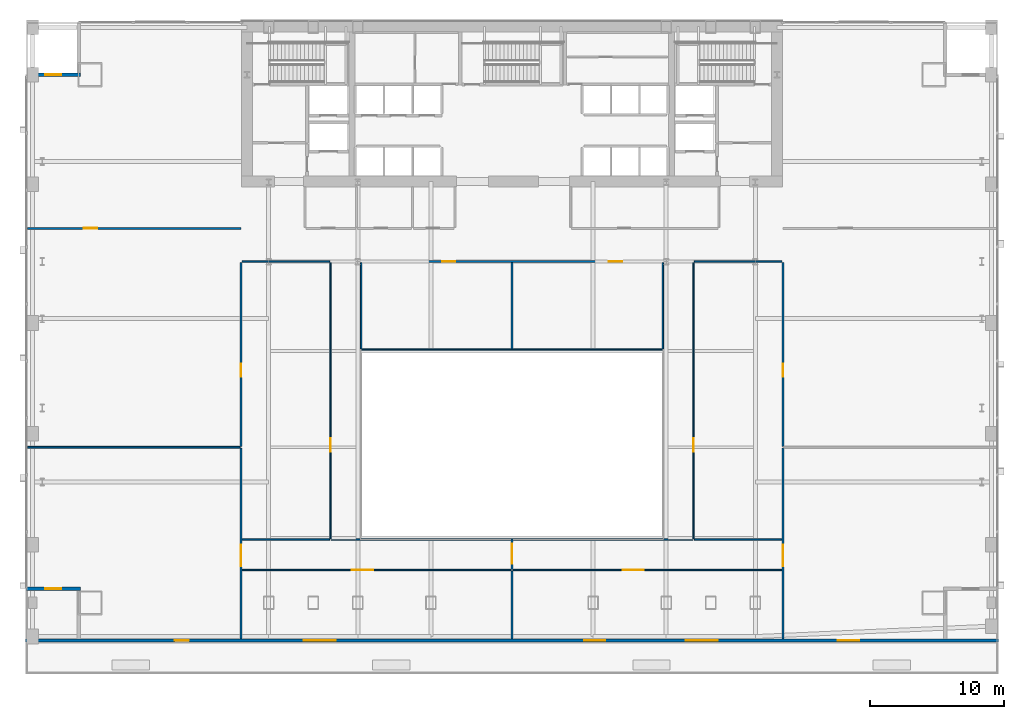
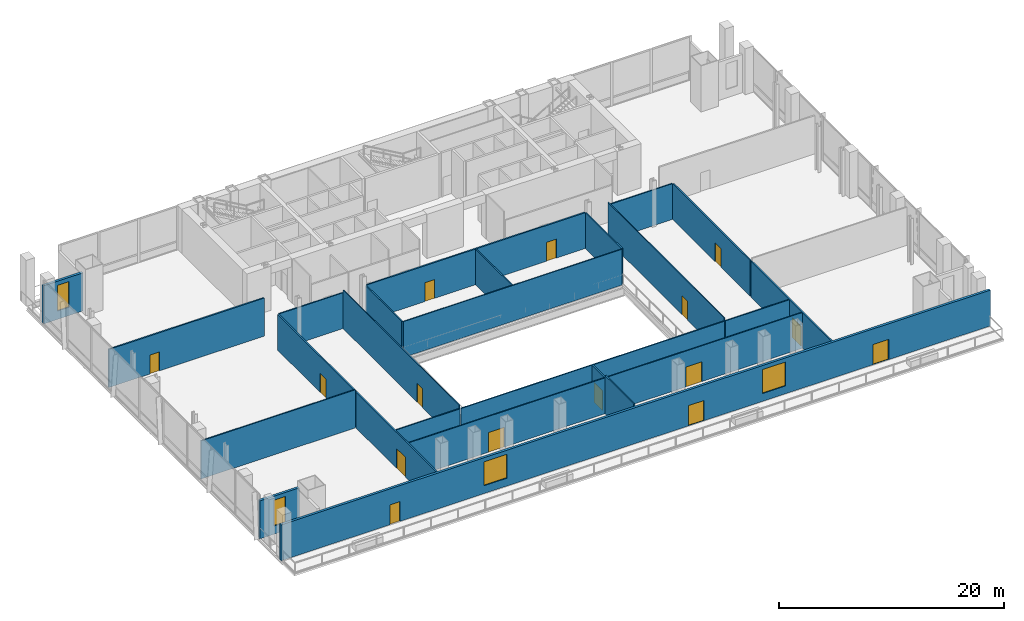
# One storey, part 20 of 26: 25 walls, 15 doors, 4 windows, 19 openings.
"""IFC4 building model written with IfcOpenShell, lengths in metres."""

from ifc_helpers import new_model, si_unit, direction, frame, frame_2d, origin, place, context, subcontext, project, spatial, rectangle, extrude, material, layer, layer_set, type_object, element, fill, save


model = new_model("IFC4")

# Units and contexts
model_context = context("Model", 3, precision=1e-05, world=origin(), true_north=direction((0.0, 1.0)))
body_context = subcontext(model_context, "Body", "Model", "MODEL_VIEW")
ifc_project = project(units=[si_unit("LENGTHUNIT", "METRE"), si_unit("AREAUNIT", "SQUARE_METRE"), si_unit("VOLUMEUNIT", "CUBIC_METRE"), si_unit("PLANEANGLEUNIT", "RADIAN"), si_unit("MASSUNIT", "GRAM", prefix="KILO")], contexts=[model_context])

# Site, building, storey
site_placement = place(None, origin())
site = spatial("IfcSite", under=ifc_project, at=site_placement, CompositionType="ELEMENT")
building_placement = place(site_placement, origin())
building = spatial("IfcBuilding", under=site, at=building_placement, Name="Khoronbel Lancet Exchange", CompositionType="ELEMENT")
storey_placement = place(building_placement, frame((0.0, 0.0, 5.39990234375)))
storey = spatial("IfcBuildingStorey", under=building, at=storey_placement, Name="L01", CompositionType="ELEMENT", Elevation=5.39990234375)

# Wall, openings, doors, windows
ifc_material_1 = material(Name="Precast concrete C40/50", Category="concrete")
ifc_layer_1 = layer(ifc_material_1, 0.25, Name="Precast concrete C40/50")
ifc_layer_set_1 = layer_set([ifc_layer_1], Name="Precast concrete C40/50")
wall_type_1 = type_object("IfcWallType", Name="WL-EXT250", PredefinedType="SOLIDWALL", material=ifc_layer_set_1)
wall_1_placement = place(storey_placement, frame((72.89990234375, 7.324951171875, 0.0), z_axis=(0.0, 0.0, 1.0), x_axis=(-1.0, 0.0, 0.0)))
wall_1 = element("IfcWall", 1, at=wall_1_placement, inside=storey, type_object=wall_type_1, Name="Level L01 cascading south garden terrace wall", PredefinedType="SOLIDWALL", context=body_context, shape_type="SweptSolid", body=[
    extrude(rectangle(XDim=72.89990234375, YDim=0.25, at=frame_2d((36.449951171875, 0.0))), origin(), (0.0, 0.0, 1.0), 3.89013671875),
])
opening_1_placement = place(wall_1_placement, frame((10.449951171875, 0.0, 0.0)))
opening_1 = element("IfcOpeningElement", 2, at=opening_1_placement, cuts=wall_1, Name="Opening TD1", PredefinedType="OPENING", context=body_context, shape_type="SweptSolid", body=[
    extrude(rectangle(XDim=1.60009765625, YDim=2.199951171875, at=frame_2d((0.800048828125, 1.10009765625))), frame((0.0, 0.135009765625, 0.0), z_axis=(0.0, -1.0, 0.0), x_axis=(1.0, 0.0, 0.0)), (0.0, 0.0, 1.0), 0.27001953125),
])
opening_2_placement = place(wall_1_placement, frame((29.449951171875, 0.0, 0.0)))
opening_2 = element("IfcOpeningElement", 3, at=opening_2_placement, cuts=wall_1, Name="Opening TD1", PredefinedType="OPENING", context=body_context, shape_type="SweptSolid", body=[
    extrude(rectangle(XDim=1.60009765625, YDim=2.199951171875, at=frame_2d((0.800048828125, 1.10009765625))), frame((0.0, 0.135009765625, 0.0), z_axis=(0.0, -1.0, 0.0), x_axis=(1.0, 0.0, 0.0)), (0.0, 0.0, 1.0), 0.27001953125),
])
opening_3_placement = place(wall_1_placement, frame((60.64990234375, 0.0, 0.0)))
opening_3 = element("IfcOpeningElement", 4, at=opening_3_placement, cuts=wall_1, Name="Opening TD2", PredefinedType="OPENING", context=body_context, shape_type="SweptSolid", body=[
    extrude(rectangle(XDim=1.050048828125, YDim=2.14990234375, at=frame_2d((0.52490234375, 1.074951171875))), frame((0.0, 0.135009765625, 0.0), z_axis=(0.0, -1.0, 0.0), x_axis=(1.0, 0.0, 0.0)), (0.0, 0.0, 1.0), 0.27001953125),
])
opening_4_placement = place(wall_1_placement, frame((21.050048828125, 0.0, 0.85009765625)))
opening_4 = element("IfcOpeningElement", 5, at=opening_4_placement, cuts=wall_1, Name="Opening W3", PredefinedType="OPENING", context=body_context, shape_type="SweptSolid", body=[
    extrude(rectangle(XDim=2.39990234375, YDim=2.60009765625, at=frame_2d((1.199951171875, 1.300048828125))), frame((0.0, 0.135009765625, 0.0), z_axis=(0.0, -1.0, 0.0), x_axis=(1.0, 0.0, 0.0)), (0.0, 0.0, 1.0), 0.27001953125),
])
opening_5_placement = place(wall_1_placement, frame((49.64990234375, 0.0, 0.85009765625)))
opening_5 = element("IfcOpeningElement", 6, at=opening_5_placement, cuts=wall_1, Name="Opening W3", PredefinedType="OPENING", context=body_context, shape_type="SweptSolid", body=[
    extrude(rectangle(XDim=2.39990234375, YDim=2.60009765625, at=frame_2d((1.199951171875, 1.300048828125))), frame((0.0, 0.135009765625, 0.0), z_axis=(0.0, -1.0, 0.0), x_axis=(1.0, 0.0, 0.0)), (0.0, 0.0, 1.0), 0.27001953125),
])
ifc_material_2 = material(Name="Glazed Bronze-Anodised Aluminium Door Assembly", Category="aluminium")
door_type_1 = type_object("IfcDoorType", Name="DR-TD1", OperationType="NOTDEFINED", PredefinedType="DOOR", material=ifc_material_2)
door_1_placement = place(opening_1_placement, origin())
door_1 = element("IfcDoor", 7, at=door_1_placement, inside=storey, type_object=door_type_1, Name="Level L01 east garden terrace door", OperationType="DOUBLE_DOOR_SINGLE_SWING", OverallHeight=2.199951171875, OverallWidth=1.60009765625, PredefinedType="DOOR", context=body_context, shape_type="SweptSolid", body=[
    extrude(rectangle(XDim=1.60009765625, YDim=2.199951171875, at=frame_2d((0.800048828125, 1.10009765625))), frame((0.0, 0.02490234375, 0.0), z_axis=(0.0, -1.0, 0.0), x_axis=(1.0, 0.0, 0.0)), (0.0, 0.0, 1.0), 0.050048828125),
])
fill(opening_1, door_1)
door_2_placement = place(opening_2_placement, origin())
door_2 = element("IfcDoor", 8, at=door_2_placement, inside=storey, type_object=door_type_1, Name="Level L01 central garden terrace door", OperationType="DOUBLE_DOOR_SINGLE_SWING", OverallHeight=2.199951171875, OverallWidth=1.60009765625, PredefinedType="DOOR", context=body_context, shape_type="SweptSolid", body=[
    extrude(rectangle(XDim=1.60009765625, YDim=2.199951171875, at=frame_2d((0.800048828125, 1.10009765625))), frame((0.0, 0.02490234375, 0.0), z_axis=(0.0, -1.0, 0.0), x_axis=(1.0, 0.0, 0.0)), (0.0, 0.0, 1.0), 0.050048828125),
])
fill(opening_2, door_2)
door_type_2 = type_object("IfcDoorType", Name="DR-TD2", OperationType="NOTDEFINED", PredefinedType="DOOR", material=ifc_material_2)
door_3_placement = place(opening_3_placement, origin())
door_3 = element("IfcDoor", 9, at=door_3_placement, inside=storey, type_object=door_type_2, Name="Level L01 west garden terrace door", OperationType="SINGLE_SWING_LEFT", OverallHeight=2.14990234375, OverallWidth=1.050048828125, PredefinedType="DOOR", context=body_context, shape_type="SweptSolid", body=[
    extrude(rectangle(XDim=1.050048828125, YDim=2.14990234375, at=frame_2d((0.52490234375, 1.074951171875))), frame((0.0, 0.02490234375, 0.0), z_axis=(0.0, -1.0, 0.0), x_axis=(1.0, 0.0, 0.0)), (0.0, 0.0, 1.0), 0.050048828125),
])
fill(opening_3, door_3)
ifc_material_3 = material(Name="Low-E Solar Control Insulating Glass", Category="glass")
window_type_1 = type_object("IfcWindowType", Name="WIN-W3", PartitioningType="SINGLE_PANEL", PredefinedType="WINDOW", material=ifc_material_3)
window_1_placement = place(opening_4_placement, origin())
window_1 = element("IfcWindow", 10, at=window_1_placement, inside=storey, type_object=window_type_1, Name="WIN-L01-TERR-1", OverallHeight=2.60009765625, OverallWidth=2.39990234375, PartitioningType="SINGLE_PANEL", PredefinedType="WINDOW", context=body_context, shape_type="SweptSolid", body=[
    extrude(rectangle(XDim=2.39990234375, YDim=2.60009765625, at=frame_2d((1.199951171875, 1.300048828125))), frame((0.0, 0.030029296875, 0.0), z_axis=(0.0, -1.0, 0.0), x_axis=(1.0, 0.0, 0.0)), (0.0, 0.0, 1.0), 0.06005859375),
])
fill(opening_4, window_1)
window_2_placement = place(opening_5_placement, origin())
window_2 = element("IfcWindow", 11, at=window_2_placement, inside=storey, type_object=window_type_1, Name="WIN-L01-TERR-2", OverallHeight=2.60009765625, OverallWidth=2.39990234375, PartitioningType="SINGLE_PANEL", PredefinedType="WINDOW", context=body_context, shape_type="SweptSolid", body=[
    extrude(rectangle(XDim=2.39990234375, YDim=2.60009765625, at=frame_2d((1.199951171875, 1.300048828125))), frame((0.0, 0.030029296875, 0.0), z_axis=(0.0, -1.0, 0.0), x_axis=(1.0, 0.0, 0.0)), (0.0, 0.0, 1.0), 0.06005859375),
])
fill(opening_5, window_2)

# Wall, opening, window
wall_2_placement = place(storey_placement, frame((0.080078125, 49.699951171875, 0.0), z_axis=(0.0, 0.0, 1.0), x_axis=(1.0, 0.0, 0.0)))
wall_2 = element("IfcWall", 12, at=wall_2_placement, inside=storey, type_object=wall_type_1, Name="Level L01 corner notch exterior wall NWL1", PredefinedType="SOLIDWALL", context=body_context, shape_type="SweptSolid", body=[
    extrude(rectangle(XDim=4.044921875, YDim=0.25, at=frame_2d((2.0224609375, 0.0))), origin(), (0.0, 0.0, 1.0), 4.14013671875),
])
opening_6_placement = place(wall_2_placement, frame((1.422607421875, 0.0, 0.89990234375)))
opening_6 = element("IfcOpeningElement", 13, at=opening_6_placement, cuts=wall_2, Name="Opening W2", PredefinedType="OPENING", context=body_context, shape_type="SweptSolid", body=[
    extrude(rectangle(XDim=1.199951171875, YDim=2.800048828125, at=frame_2d((0.60009765625, 1.39990234375))), frame((0.0, 0.135009765625, 0.0), z_axis=(0.0, -1.0, 0.0), x_axis=(1.0, 0.0, 0.0)), (0.0, 0.0, 1.0), 0.27001953125),
])
window_type_2 = type_object("IfcWindowType", Name="WIN-W2", PartitioningType="SINGLE_PANEL", PredefinedType="WINDOW", material=ifc_material_3)
window_3_placement = place(opening_6_placement, origin())
window_3 = element("IfcWindow", 14, at=window_3_placement, inside=storey, type_object=window_type_2, Name="WIN-L01-NWL1", OverallHeight=2.800048828125, OverallWidth=1.199951171875, PartitioningType="SINGLE_PANEL", PredefinedType="WINDOW", context=body_context, shape_type="SweptSolid", body=[
    extrude(rectangle(XDim=1.199951171875, YDim=2.800048828125, at=frame_2d((0.60009765625, 1.39990234375))), frame((0.0, 0.030029296875, 0.0), z_axis=(0.0, -1.0, 0.0), x_axis=(1.0, 0.0, 0.0)), (0.0, 0.0, 1.0), 0.06005859375),
])
fill(opening_6, window_3)

wall_3_placement = place(storey_placement, frame((4.125, 11.199951171875, 0.0), z_axis=(0.0, 0.0, 1.0), x_axis=(-1.0, 0.0, 0.0)))
wall_3 = element("IfcWall", 15, at=wall_3_placement, inside=storey, type_object=wall_type_1, Name="Level L01 corner notch exterior wall SWL1", PredefinedType="SOLIDWALL", context=body_context, shape_type="SweptSolid", body=[
    extrude(rectangle(XDim=4.044921875, YDim=0.25, at=frame_2d((2.0224609375, 0.0))), origin(), (0.0, 0.0, 1.0), 4.14013671875),
])
opening_7_placement = place(wall_3_placement, frame((1.422607421875, 0.0, 0.89990234375)))
opening_7 = element("IfcOpeningElement", 16, at=opening_7_placement, cuts=wall_3, Name="Opening W2", PredefinedType="OPENING", context=body_context, shape_type="SweptSolid", body=[
    extrude(rectangle(XDim=1.199951171875, YDim=2.800048828125, at=frame_2d((0.60009765625, 1.39990234375))), frame((0.0, 0.135009765625, 0.0), z_axis=(0.0, -1.0, 0.0), x_axis=(1.0, 0.0, 0.0)), (0.0, 0.0, 1.0), 0.27001953125),
])
window_4_placement = place(opening_7_placement, origin())
window_4 = element("IfcWindow", 17, at=window_4_placement, inside=storey, type_object=window_type_2, Name="WIN-L01-SWL1", OverallHeight=2.800048828125, OverallWidth=1.199951171875, PartitioningType="SINGLE_PANEL", PredefinedType="WINDOW", context=body_context, shape_type="SweptSolid", body=[
    extrude(rectangle(XDim=1.199951171875, YDim=2.800048828125, at=frame_2d((0.60009765625, 1.39990234375))), frame((0.0, 0.030029296875, 0.0), z_axis=(0.0, -1.0, 0.0), x_axis=(1.0, 0.0, 0.0)), (0.0, 0.0, 1.0), 0.06005859375),
])
fill(opening_7, window_4)

# Wall, opening, door
ifc_material_4 = material(Name="Demountable Bronze-Framed Acoustic Glass Partition 100 mm", Category="glass")
ifc_layer_2 = layer(ifc_material_4, 0.10009765625, Name="Demountable Bronze-Framed Acoustic Glass Partition 100 mm")
ifc_layer_set_2 = layer_set([ifc_layer_2], Name="Demountable Bronze-Framed Acoustic Glass Partition 100 mm")
wall_type_2 = type_object("IfcWallType", Name="WL-MOV100", PredefinedType="MOVABLE", material=ifc_layer_set_2)
wall_4_placement = place(storey_placement, frame((16.239990234375, 12.60009765625, 0.0), z_axis=(0.0, 0.0, 1.0), x_axis=(1.0, 0.0, 0.0)))
wall_4 = element("IfcWall", 18, at=wall_4_placement, inside=storey, type_object=wall_type_2, Name="Level L01 interior partition PW-PD-SS1", PredefinedType="MOVABLE", context=body_context, shape_type="SweptSolid", body=[
    extrude(rectangle(XDim=20.130126953125, YDim=0.10009765625, at=frame_2d((10.06494140625, 0.0))), origin(), (0.0, 0.0, 1.0), 3.89013671875),
])
opening_8_placement = place(wall_4_placement, frame((8.199951171875, 0.0, 0.0)))
opening_8 = element("IfcOpeningElement", 19, at=opening_8_placement, cuts=wall_4, Name="Opening D9", PredefinedType="OPENING", context=body_context, shape_type="SweptSolid", body=[
    extrude(rectangle(XDim=1.60009765625, YDim=2.14990234375, at=frame_2d((0.800048828125, 1.074951171875))), frame((0.0, 0.06005859375, 0.0), z_axis=(0.0, -1.0, 0.0), x_axis=(1.0, 0.0, 0.0)), (0.0, 0.0, 1.0), 0.1201171875),
])
ifc_material_5 = material(Name="Glazed Bronze-Framed Double Hall Door", Category="aluminium")
door_type_3 = type_object("IfcDoorType", Name="DR-D9", OperationType="NOTDEFINED", PredefinedType="DOOR", material=ifc_material_5)
door_4_placement = place(opening_8_placement, origin())
door_4 = element("IfcDoor", 20, at=door_4_placement, inside=storey, type_object=door_type_3, Name="South terrace operations office door L01-1", OperationType="DOUBLE_DOOR_SINGLE_SWING", OverallHeight=2.14990234375, OverallWidth=1.60009765625, PredefinedType="DOOR", context=body_context, shape_type="SweptSolid", body=[
    extrude(rectangle(XDim=1.60009765625, YDim=2.14990234375, at=frame_2d((0.800048828125, 1.074951171875))), frame((0.0, 0.02490234375, 0.0), z_axis=(0.0, -1.0, 0.0), x_axis=(1.0, 0.0, 0.0)), (0.0, 0.0, 1.0), 0.050048828125),
])
fill(opening_8, door_4)

wall_5_placement = place(storey_placement, frame((36.530029296875, 12.60009765625, 0.0), z_axis=(0.0, 0.0, 1.0), x_axis=(1.0, 0.0, 0.0)))
wall_5 = element("IfcWall", 21, at=wall_5_placement, inside=storey, type_object=wall_type_2, Name="Level L01 interior partition PW-PD-SS2", PredefinedType="MOVABLE", context=body_context, shape_type="SweptSolid", body=[
    extrude(rectangle(XDim=20.1298828125, YDim=0.10009765625, at=frame_2d((10.06494140625, 0.0))), origin(), (0.0, 0.0, 1.0), 3.89013671875),
])
opening_9_placement = place(wall_5_placement, frame((8.199951171875, 0.0, 0.0)))
opening_9 = element("IfcOpeningElement", 22, at=opening_9_placement, cuts=wall_5, Name="Opening D9", PredefinedType="OPENING", context=body_context, shape_type="SweptSolid", body=[
    extrude(rectangle(XDim=1.60009765625, YDim=2.14990234375, at=frame_2d((0.800048828125, 1.074951171875))), frame((0.0, 0.06005859375, 0.0), z_axis=(0.0, -1.0, 0.0), x_axis=(1.0, 0.0, 0.0)), (0.0, 0.0, 1.0), 0.1201171875),
])
door_5_placement = place(opening_9_placement, origin())
door_5 = element("IfcDoor", 23, at=door_5_placement, inside=storey, type_object=door_type_3, Name="South terrace custody office door L01-1", OperationType="DOUBLE_DOOR_SINGLE_SWING", OverallHeight=2.14990234375, OverallWidth=1.60009765625, PredefinedType="DOOR", context=body_context, shape_type="SweptSolid", body=[
    extrude(rectangle(XDim=1.60009765625, YDim=2.14990234375, at=frame_2d((0.800048828125, 1.074951171875))), frame((0.0, 0.02490234375, 0.0), z_axis=(0.0, -1.0, 0.0), x_axis=(1.0, 0.0, 0.0)), (0.0, 0.0, 1.0), 0.050048828125),
])
fill(opening_9, door_5)

# Wall
wall_6_placement = place(storey_placement, frame((25.215087890625, 29.1201171875, 0.0), z_axis=(0.0, 0.0, 1.0), x_axis=(1.0, 0.0, 0.0)))
element("IfcWall", 24, at=wall_6_placement, inside=storey, type_object=wall_type_2, Name="Level L01 interior partition PW-PD-NS1", PredefinedType="MOVABLE", context=body_context, shape_type="SweptSolid", body=[
    extrude(rectangle(XDim=22.469970703125, YDim=0.10009765625, at=frame_2d((11.23486328125, 0.0))), origin(), (0.0, 0.0, 1.0), 3.89013671875),
])

# Wall, opening, door
wall_7_placement = place(storey_placement, frame((22.85009765625, 14.965087890625, 0.0), z_axis=(0.0, 0.0, 1.0), x_axis=(0.0, 1.0, 0.0)))
wall_7 = element("IfcWall", 25, at=wall_7_placement, inside=storey, type_object=wall_type_2, Name="Level L01 interior partition PW-PD-MWE", PredefinedType="MOVABLE", context=body_context, shape_type="SweptSolid", body=[
    extrude(rectangle(XDim=20.669921875, YDim=0.10009765625, at=frame_2d((10.3349609375, 0.0))), origin(), (0.0, 0.0, 1.0), 4.190185546875),
])
opening_10_placement = place(wall_7_placement, frame((6.5, 0.0, 0.0)))
opening_10 = element("IfcOpeningElement", 26, at=opening_10_placement, cuts=wall_7, Name="Opening D8", PredefinedType="OPENING", context=body_context, shape_type="SweptSolid", body=[
    extrude(rectangle(XDim=1.0, YDim=2.050048828125, at=frame_2d((0.5, 1.02490234375))), frame((0.0, 0.06005859375, 0.0), z_axis=(0.0, -1.0, 0.0), x_axis=(1.0, 0.0, 0.0)), (0.0, 0.0, 1.0), 0.1201171875),
])
ifc_material_6 = material(Name="Acoustic Bronze-Framed Glass Suite Door", Category="glass")
door_type_4 = type_object("IfcDoorType", Name="DR-D8", OperationType="NOTDEFINED", PredefinedType="DOOR", material=ifc_material_6)
door_6_placement = place(opening_10_placement, origin())
door_6 = element("IfcDoor", 27, at=door_6_placement, inside=storey, type_object=door_type_4, Name="West mezzanine brokerage office door L01-1", OperationType="SINGLE_SWING_LEFT", OverallHeight=2.050048828125, OverallWidth=1.0, PredefinedType="DOOR", context=body_context, shape_type="SweptSolid", body=[
    extrude(rectangle(XDim=1.0, YDim=2.050048828125, at=frame_2d((0.5, 1.02490234375))), frame((0.0, 0.02490234375, 0.0), z_axis=(0.0, -1.0, 0.0), x_axis=(1.0, 0.0, 0.0)), (0.0, 0.0, 1.0), 0.050048828125),
])
fill(opening_10, door_6)

wall_8_placement = place(storey_placement, frame((50.050048828125, 14.965087890625, 0.0), z_axis=(0.0, 0.0, 1.0), x_axis=(0.0, 1.0, 0.0)))
wall_8 = element("IfcWall", 28, at=wall_8_placement, inside=storey, type_object=wall_type_2, Name="Level L01 interior partition PW-PD-MEW", PredefinedType="MOVABLE", context=body_context, shape_type="SweptSolid", body=[
    extrude(rectangle(XDim=20.669921875, YDim=0.10009765625, at=frame_2d((10.3349609375, 0.0))), origin(), (0.0, 0.0, 1.0), 4.190185546875),
])
opening_11_placement = place(wall_8_placement, frame((6.5, 0.0, 0.0)))
opening_11 = element("IfcOpeningElement", 29, at=opening_11_placement, cuts=wall_8, Name="Opening D8", PredefinedType="OPENING", context=body_context, shape_type="SweptSolid", body=[
    extrude(rectangle(XDim=1.0, YDim=2.050048828125, at=frame_2d((0.5, 1.02490234375))), frame((0.0, 0.06005859375, 0.0), z_axis=(0.0, -1.0, 0.0), x_axis=(1.0, 0.0, 0.0)), (0.0, 0.0, 1.0), 0.1201171875),
])
door_7_placement = place(opening_11_placement, origin())
door_7 = element("IfcDoor", 30, at=door_7_placement, inside=storey, type_object=door_type_4, Name="East mezzanine research suite door L01-1", OperationType="SINGLE_SWING_RIGHT", OverallHeight=2.050048828125, OverallWidth=1.0, PredefinedType="DOOR", context=body_context, shape_type="SweptSolid", body=[
    extrude(rectangle(XDim=1.0, YDim=2.050048828125, at=frame_2d((0.5, 1.02490234375))), frame((0.0, 0.02490234375, 0.0), z_axis=(0.0, -1.0, 0.0), x_axis=(1.0, 0.0, 0.0)), (0.0, 0.0, 1.0), 0.050048828125),
])
fill(opening_11, door_7)

# Walls
ifc_material_7 = material(Name="Acoustic Metal-Stud & Mineral-Wool Gypsum Partition 120 mm", Category="gypsum")
ifc_layer_3 = layer(ifc_material_7, 0.1201171875, Name="Acoustic Metal-Stud & Mineral-Wool Gypsum Partition 120 mm")
ifc_layer_set_3 = layer_set([ifc_layer_3], Name="Acoustic Metal-Stud & Mineral-Wool Gypsum Partition 120 mm")
wall_type_3 = type_object("IfcWallType", Name="WL-PRT120", PredefinedType="PARTITIONING", material=ifc_layer_set_3)
wall_9_placement = place(storey_placement, frame((0.179931640625, 21.800048828125, 0.0), z_axis=(0.0, 0.0, 1.0), x_axis=(1.0, 0.0, 0.0)))
element("IfcWall", 31, at=wall_9_placement, inside=storey, type_object=wall_type_3, Name="Level L01 interior partition PW-PD-WH", PredefinedType="PARTITIONING", context=body_context, shape_type="SweptSolid", body=[
    extrude(rectangle(XDim=15.900146484375, YDim=0.1201171875, at=frame_2d((7.9501953125, 0.0))), origin(), (0.0, 0.0, 1.0), 4.14013671875),
])
wall_10_placement = place(storey_placement, frame((36.449951171875, 7.449951171875, 0.0), z_axis=(0.0, 0.0, 1.0), x_axis=(0.0, 1.0, 0.0)))
element("IfcWall", 32, at=wall_10_placement, inside=storey, type_object=wall_type_3, Name="Level L01 interior partition PW-PD-SSV", PredefinedType="PARTITIONING", context=body_context, shape_type="SweptSolid", body=[
    extrude(rectangle(XDim=5.094970703125, YDim=0.1201171875, at=frame_2d((2.54736328125, 0.0))), origin(), (0.0, 0.0, 1.0), 4.14013671875),
])
for number, where, z_axis, x_axis, name in (
    (33, (36.449951171875, 29.175048828125, 0.0), (0.0, 0.0, 1.0), (0.0, 1.0, 0.0), "Level L01 interior partition PW-PD-NSV"),
    (34, (25.14990234375, 29.175048828125, 0.0), (0.0, 0.0, 1.0), (0.0, 1.0, 0.0), "Level L01 interior partition PW-PD-NSW"),
    (35, (47.75, 29.175048828125, 0.0), (0.0, 0.0, 1.0), (0.0, 1.0, 0.0), "Level L01 interior partition PW-PD-NSE"),
):
    element("IfcWall", number, at=place(storey_placement, frame(where, z_axis=z_axis, x_axis=x_axis)), inside=storey, type_object=wall_type_3, Name=name, PredefinedType="PARTITIONING", context=body_context, shape_type="SweptSolid", body=[
        extrude(rectangle(XDim=6.445068359375, YDim=0.1201171875, at=frame_2d((3.22265625, 0.0))), origin(), (0.0, 0.0, 1.0), 3.89013671875),
    ])
for number, where, z_axis, x_axis, name in (
    (36, (16.239990234375, 14.89990234375, 0.0), (0.0, 0.0, 1.0), (1.0, 0.0, 0.0), "Level L01 interior partition PW-PD-MWN"),
    (37, (16.239990234375, 35.699951171875, 0.0), (0.0, 0.0, 1.0), (1.0, 0.0, 0.0), "Level L01 interior partition PW-PD-MWS"),
    (38, (50.10498046875, 14.89990234375, 0.0), (0.0, 0.0, 1.0), (1.0, 0.0, 0.0), "Level L01 interior partition PW-PD-MEN"),
    (39, (50.10498046875, 35.699951171875, 0.0), (0.0, 0.0, 1.0), (1.0, 0.0, 0.0), "Level L01 interior partition PW-PD-MES"),
):
    element("IfcWall", number, at=place(storey_placement, frame(where, z_axis=z_axis, x_axis=x_axis)), inside=storey, type_object=wall_type_3, Name=name, PredefinedType="PARTITIONING", context=body_context, shape_type="SweptSolid", body=[
        extrude(rectangle(XDim=6.554931640625, YDim=0.1201171875, at=frame_2d((3.27734375, 0.0))), origin(), (0.0, 0.0, 1.0), 3.89013671875),
    ])
wall_11_placement = place(storey_placement, frame((22.905029296875, 14.89990234375, 0.0), z_axis=(0.0, 0.0, 1.0), x_axis=(1.0, 0.0, 0.0)))
element("IfcWall", 40, at=wall_11_placement, inside=storey, type_object=wall_type_3, Name="Level L01 interior partition PW-PD-ATRS", PredefinedType="PARTITIONING", context=body_context, shape_type="SweptSolid", body=[
    extrude(rectangle(XDim=27.090087890625, YDim=0.1201171875, at=frame_2d((13.544921875, 0.0))), origin(), (0.0, 0.0, 1.0), 3.89013671875),
])

# Wall, opening, door
ifc_material_8 = material(Name="Fire-Rated Twin-Stud Acoustic Gypsum Partition 150 mm", Category="gypsum")
ifc_layer_4 = layer(ifc_material_8, 0.14990234375, Name="Fire-Rated Twin-Stud Acoustic Gypsum Partition 150 mm")
ifc_layer_set_4 = layer_set([ifc_layer_4], Name="Fire-Rated Twin-Stud Acoustic Gypsum Partition 150 mm")
wall_type_4 = type_object("IfcWallType", Name="WL-PRT150C", PredefinedType="PARTITIONING", material=ifc_layer_set_4)
wall_12_placement = place(storey_placement, frame((16.159912109375, 7.449951171875, 0.0), z_axis=(0.0, 0.0, 1.0), x_axis=(0.0, 1.0, 0.0)))
wall_12 = element("IfcWall", 41, at=wall_12_placement, inside=storey, type_object=wall_type_4, Name="Level L01 interior partition PW-PD-WE1", PredefinedType="PARTITIONING", context=body_context, shape_type="SweptSolid", body=[
    extrude(rectangle(XDim=14.28515625, YDim=0.14990234375, at=frame_2d((7.142578125, 0.0))), origin(), (0.0, 0.0, 1.0), 3.89013671875),
])
opening_12_placement = place(wall_12_placement, frame((5.449951171875, 0.0, 0.0)))
opening_12 = element("IfcOpeningElement", 42, at=opening_12_placement, cuts=wall_12, Name="Opening D3", PredefinedType="OPENING", context=body_context, shape_type="SweptSolid", body=[
    extrude(rectangle(XDim=1.60009765625, YDim=2.14990234375, at=frame_2d((0.800048828125, 1.074951171875))), frame((0.0, 0.0849609375, 0.0), z_axis=(0.0, -1.0, 0.0), x_axis=(1.0, 0.0, 0.0)), (0.0, 0.0, 1.0), 0.169921875),
])
ifc_material_9 = material(Name="Glazed Bronze-Framed Double Suite Door", Category="aluminium")
door_type_5 = type_object("IfcDoorType", Name="DR-D3", OperationType="NOTDEFINED", PredefinedType="DOOR", material=ifc_material_9)
door_8_placement = place(opening_12_placement, origin())
door_8 = element("IfcDoor", 43, at=door_8_placement, inside=storey, type_object=door_type_5, Name="West podium clearing suite door L01-1", OperationType="DOUBLE_DOOR_SINGLE_SWING", OverallHeight=2.14990234375, OverallWidth=1.60009765625, PredefinedType="DOOR", context=body_context, shape_type="SweptSolid", body=[
    extrude(rectangle(XDim=1.60009765625, YDim=2.14990234375, at=frame_2d((0.800048828125, 1.074951171875))), frame((0.0, 0.02490234375, 0.0), z_axis=(0.0, -1.0, 0.0), x_axis=(1.0, 0.0, 0.0)), (0.0, 0.0, 1.0), 0.050048828125),
])
fill(opening_12, door_8)

wall_13_placement = place(storey_placement, frame((16.159912109375, 21.864990234375, 0.0), z_axis=(0.0, 0.0, 1.0), x_axis=(0.0, 1.0, 0.0)))
wall_13 = element("IfcWall", 44, at=wall_13_placement, inside=storey, type_object=wall_type_4, Name="Level L01 interior partition PW-PD-WE2", PredefinedType="PARTITIONING", context=body_context, shape_type="SweptSolid", body=[
    extrude(rectangle(XDim=13.77001953125, YDim=0.14990234375, at=frame_2d((6.885009765625, 0.0))), origin(), (0.0, 0.0, 1.0), 3.89013671875),
])
opening_13_placement = place(wall_13_placement, frame((5.199951171875, 0.0, 0.0)))
opening_13 = element("IfcOpeningElement", 45, at=opening_13_placement, cuts=wall_13, Name="Opening D2", PredefinedType="OPENING", context=body_context, shape_type="SweptSolid", body=[
    extrude(rectangle(XDim=1.0, YDim=2.050048828125, at=frame_2d((0.5, 1.02490234375))), frame((0.0, 0.0849609375, 0.0), z_axis=(0.0, -1.0, 0.0), x_axis=(1.0, 0.0, 0.0)), (0.0, 0.0, 1.0), 0.169921875),
])
ifc_material_10 = material(Name="Acoustic Veneered Timber & Bronze Frame Door", Category="wood")
door_type_6 = type_object("IfcDoorType", Name="DR-D2", OperationType="NOTDEFINED", PredefinedType="DOOR", material=ifc_material_10)
door_9_placement = place(opening_13_placement, origin())
door_9 = element("IfcDoor", 46, at=door_9_placement, inside=storey, type_object=door_type_6, Name="West podium valuation office door L01-1", OperationType="SINGLE_SWING_LEFT", OverallHeight=2.050048828125, OverallWidth=1.0, PredefinedType="DOOR", context=body_context, shape_type="SweptSolid", body=[
    extrude(rectangle(XDim=1.0, YDim=2.050048828125, at=frame_2d((0.5, 1.02490234375))), frame((0.0, 0.02490234375, 0.0), z_axis=(0.0, -1.0, 0.0), x_axis=(1.0, 0.0, 0.0)), (0.0, 0.0, 1.0), 0.050048828125),
])
fill(opening_13, door_9)

wall_14_placement = place(storey_placement, frame((56.739990234375, 7.449951171875, 0.0), z_axis=(0.0, 0.0, 1.0), x_axis=(0.0, 1.0, 0.0)))
wall_14 = element("IfcWall", 47, at=wall_14_placement, inside=storey, type_object=wall_type_4, Name="Level L01 interior partition PW-PD-EW1", PredefinedType="PARTITIONING", context=body_context, shape_type="SweptSolid", body=[
    extrude(rectangle(XDim=14.28515625, YDim=0.14990234375, at=frame_2d((7.142578125, 0.0))), origin(), (0.0, 0.0, 1.0), 3.89013671875),
])
opening_14_placement = place(wall_14_placement, frame((5.449951171875, 0.0, 0.0)))
opening_14 = element("IfcOpeningElement", 48, at=opening_14_placement, cuts=wall_14, Name="Opening D3", PredefinedType="OPENING", context=body_context, shape_type="SweptSolid", body=[
    extrude(rectangle(XDim=1.60009765625, YDim=2.14990234375, at=frame_2d((0.800048828125, 1.074951171875))), frame((0.0, 0.0849609375, 0.0), z_axis=(0.0, -1.0, 0.0), x_axis=(1.0, 0.0, 0.0)), (0.0, 0.0, 1.0), 0.169921875),
])
door_10_placement = place(opening_14_placement, origin())
door_10 = element("IfcDoor", 49, at=door_10_placement, inside=storey, type_object=door_type_5, Name="East podium clearing office door L01-1", OperationType="DOUBLE_DOOR_SINGLE_SWING", OverallHeight=2.14990234375, OverallWidth=1.60009765625, PredefinedType="DOOR", context=body_context, shape_type="SweptSolid", body=[
    extrude(rectangle(XDim=1.60009765625, YDim=2.14990234375, at=frame_2d((0.800048828125, 1.074951171875))), frame((0.0, 0.02490234375, 0.0), z_axis=(0.0, -1.0, 0.0), x_axis=(1.0, 0.0, 0.0)), (0.0, 0.0, 1.0), 0.050048828125),
])
fill(opening_14, door_10)

wall_15_placement = place(storey_placement, frame((56.739990234375, 21.864990234375, 0.0), z_axis=(0.0, 0.0, 1.0), x_axis=(0.0, 1.0, 0.0)))
wall_15 = element("IfcWall", 50, at=wall_15_placement, inside=storey, type_object=wall_type_4, Name="Level L01 interior partition PW-PD-EW2", PredefinedType="PARTITIONING", context=body_context, shape_type="SweptSolid", body=[
    extrude(rectangle(XDim=13.77001953125, YDim=0.14990234375, at=frame_2d((6.885009765625, 0.0))), origin(), (0.0, 0.0, 1.0), 3.89013671875),
])
opening_15_placement = place(wall_15_placement, frame((5.199951171875, 0.0, 0.0)))
opening_15 = element("IfcOpeningElement", 51, at=opening_15_placement, cuts=wall_15, Name="Opening D2", PredefinedType="OPENING", context=body_context, shape_type="SweptSolid", body=[
    extrude(rectangle(XDim=1.0, YDim=2.050048828125, at=frame_2d((0.5, 1.02490234375))), frame((0.0, 0.0849609375, 0.0), z_axis=(0.0, -1.0, 0.0), x_axis=(1.0, 0.0, 0.0)), (0.0, 0.0, 1.0), 0.169921875),
])
door_11_placement = place(opening_15_placement, origin())
door_11 = element("IfcDoor", 52, at=door_11_placement, inside=storey, type_object=door_type_6, Name="East podium regulatory suite door L01-1", OperationType="SINGLE_SWING_RIGHT", OverallHeight=2.050048828125, OverallWidth=1.0, PredefinedType="DOOR", context=body_context, shape_type="SweptSolid", body=[
    extrude(rectangle(XDim=1.0, YDim=2.050048828125, at=frame_2d((0.5, 1.02490234375))), frame((0.0, 0.02490234375, 0.0), z_axis=(0.0, -1.0, 0.0), x_axis=(1.0, 0.0, 0.0)), (0.0, 0.0, 1.0), 0.050048828125),
])
fill(opening_15, door_11)

# Wall, openings, doors
wall_16_placement = place(storey_placement, frame((25.215087890625, 35.699951171875, 0.0), z_axis=(0.0, 0.0, 1.0), x_axis=(1.0, 0.0, 0.0)))
wall_16 = element("IfcWall", 53, at=wall_16_placement, inside=storey, type_object=wall_type_4, Name="Level L01 interior partition PW-PD-NSN", PredefinedType="PARTITIONING", context=body_context, shape_type="SweptSolid", body=[
    extrude(rectangle(XDim=22.469970703125, YDim=0.14990234375, at=frame_2d((11.23486328125, 0.0))), origin(), (0.0, 0.0, 1.0), 3.89013671875),
])
opening_16_placement = place(wall_16_placement, frame((6.0, 0.0, 0.0)))
opening_16 = element("IfcOpeningElement", 54, at=opening_16_placement, cuts=wall_16, Name="Opening D2", PredefinedType="OPENING", context=body_context, shape_type="SweptSolid", body=[
    extrude(rectangle(XDim=1.0, YDim=2.050048828125, at=frame_2d((0.5, 1.02490234375))), frame((0.0, 0.0849609375, 0.0), z_axis=(0.0, -1.0, 0.0), x_axis=(1.0, 0.0, 0.0)), (0.0, 0.0, 1.0), 0.169921875),
])
opening_17_placement = place(wall_16_placement, frame((18.5, 0.0, 0.0)))
opening_17 = element("IfcOpeningElement", 55, at=opening_17_placement, cuts=wall_16, Name="Opening D2", PredefinedType="OPENING", context=body_context, shape_type="SweptSolid", body=[
    extrude(rectangle(XDim=1.0, YDim=2.050048828125, at=frame_2d((0.5, 1.02490234375))), frame((0.0, 0.0849609375, 0.0), z_axis=(0.0, -1.0, 0.0), x_axis=(1.0, 0.0, 0.0)), (0.0, 0.0, 1.0), 0.169921875),
])
door_12_placement = place(opening_16_placement, origin())
door_12 = element("IfcDoor", 56, at=door_12_placement, inside=storey, type_object=door_type_6, Name="North mezzanine conference room door L01-1", OperationType="SINGLE_SWING_LEFT", OverallHeight=2.050048828125, OverallWidth=1.0, PredefinedType="DOOR", context=body_context, shape_type="SweptSolid", body=[
    extrude(rectangle(XDim=1.0, YDim=2.050048828125, at=frame_2d((0.5, 1.02490234375))), frame((0.0, 0.02490234375, 0.0), z_axis=(0.0, -1.0, 0.0), x_axis=(1.0, 0.0, 0.0)), (0.0, 0.0, 1.0), 0.050048828125),
])
fill(opening_16, door_12)
door_13_placement = place(opening_17_placement, origin())
door_13 = element("IfcDoor", 57, at=door_13_placement, inside=storey, type_object=door_type_6, Name="North mezzanine espresso lounge door L01-2", OperationType="SINGLE_SWING_RIGHT", OverallHeight=2.050048828125, OverallWidth=1.0, PredefinedType="DOOR", context=body_context, shape_type="SweptSolid", body=[
    extrude(rectangle(XDim=1.0, YDim=2.050048828125, at=frame_2d((0.5, 1.02490234375))), frame((0.0, 0.02490234375, 0.0), z_axis=(0.0, -1.0, 0.0), x_axis=(1.0, 0.0, 0.0)), (0.0, 0.0, 1.0), 0.050048828125),
])
fill(opening_17, door_13)

# Wall, opening, door
wall_17_placement = place(storey_placement, frame((0.179931640625, 38.199951171875, 0.0), z_axis=(0.0, 0.0, 1.0), x_axis=(1.0, 0.0, 0.0)))
wall_17 = element("IfcWall", 58, at=wall_17_placement, inside=storey, type_object=wall_type_4, Name="Level L01 interior partition PW-PD-NW", PredefinedType="PARTITIONING", context=body_context, shape_type="SweptSolid", body=[
    extrude(rectangle(XDim=15.97998046875, YDim=0.14990234375, at=frame_2d((7.989990234375, 0.0))), origin(), (0.0, 0.0, 1.0), 4.14013671875),
])
opening_18_placement = place(wall_17_placement, frame((4.199951171875, 0.0, 0.0)))
opening_18 = element("IfcOpeningElement", 59, at=opening_18_placement, cuts=wall_17, Name="Opening D2", PredefinedType="OPENING", context=body_context, shape_type="SweptSolid", body=[
    extrude(rectangle(XDim=1.0, YDim=2.050048828125, at=frame_2d((0.5, 1.02490234375))), frame((0.0, 0.0849609375, 0.0), z_axis=(0.0, -1.0, 0.0), x_axis=(1.0, 0.0, 0.0)), (0.0, 0.0, 1.0), 0.169921875),
])
door_14_placement = place(opening_18_placement, origin())
door_14 = element("IfcDoor", 60, at=door_14_placement, inside=storey, type_object=door_type_6, Name="NW podium archive room door L01-1", OperationType="SINGLE_SWING_RIGHT", OverallHeight=2.050048828125, OverallWidth=1.0, PredefinedType="DOOR", context=body_context, shape_type="SweptSolid", body=[
    extrude(rectangle(XDim=1.0, YDim=2.050048828125, at=frame_2d((0.5, 1.02490234375))), frame((0.0, 0.02490234375, 0.0), z_axis=(0.0, -1.0, 0.0), x_axis=(1.0, 0.0, 0.0)), (0.0, 0.0, 1.0), 0.050048828125),
])
fill(opening_18, door_14)

wall_18_placement = place(storey_placement, frame((36.449951171875, 12.655029296875, 0.0), z_axis=(0.0, 0.0, 1.0), x_axis=(0.0, 1.0, 0.0)))
wall_18 = element("IfcWall", 61, at=wall_18_placement, inside=storey, type_object=wall_type_4, Name="Level L01 interior partition PW-PD-SMK", PredefinedType="PARTITIONING", context=body_context, shape_type="SweptSolid", body=[
    extrude(rectangle(XDim=2.280029296875, YDim=0.14990234375, at=frame_2d((1.14013671875, 0.0))), origin(), (0.0, 0.0, 1.0), 3.89013671875),
])
opening_19_placement = place(wall_18_placement, frame((0.419921875, 0.0, 0.0)))
opening_19 = element("IfcOpeningElement", 62, at=opening_19_placement, cuts=wall_18, Name="Opening FD2", PredefinedType="OPENING", context=body_context, shape_type="SweptSolid", body=[
    extrude(rectangle(XDim=1.5, YDim=2.14990234375, at=frame_2d((0.75, 1.074951171875))), frame((0.0, 0.0849609375, 0.0), z_axis=(0.0, -1.0, 0.0), x_axis=(1.0, 0.0, 0.0)), (0.0, 0.0, 1.0), 0.169921875),
])
ifc_material_11 = material(Name="Fire-Rated Painted Steel Door Assembly", Category="steel")
door_type_7 = type_object("IfcDoorType", Name="DR-FD2", OperationType="NOTDEFINED", PredefinedType="DOOR", material=ifc_material_11)
door_15_placement = place(opening_19_placement, origin())
door_15 = element("IfcDoor", 63, at=door_15_placement, inside=storey, type_object=door_type_7, Name="South gallery smoke-control double door L01-1", OperationType="DOUBLE_DOOR_SINGLE_SWING", OverallHeight=2.14990234375, OverallWidth=1.5, PredefinedType="DOOR", context=body_context, shape_type="SweptSolid", body=[
    extrude(rectangle(XDim=1.5, YDim=2.14990234375, at=frame_2d((0.75, 1.074951171875))), frame((0.0, 0.02490234375, 0.0), z_axis=(0.0, -1.0, 0.0), x_axis=(1.0, 0.0, 0.0)), (0.0, 0.0, 1.0), 0.050048828125),
])
fill(opening_19, door_15)

save(model, "model.ifc")
